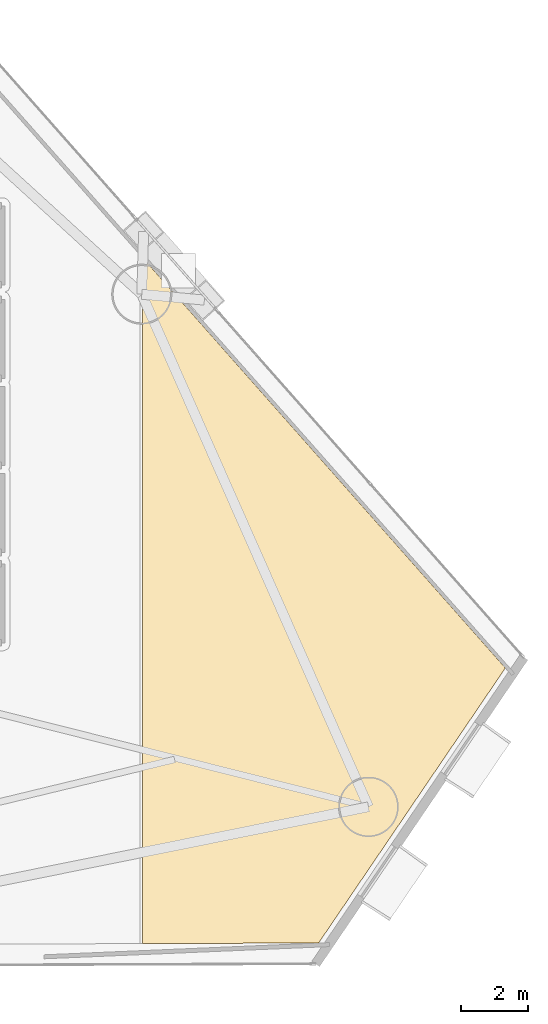
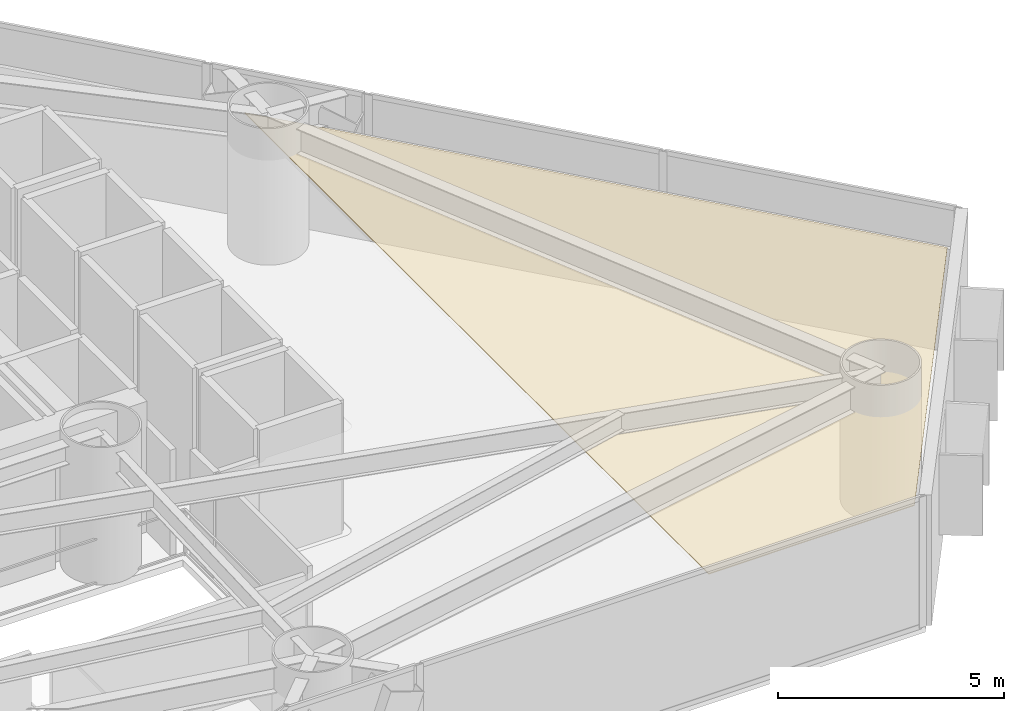
# One storey, part 22 of 22: 1 covering.
"""IFC4 building model written with IfcOpenShell, lengths in metres."""

from ifc_helpers import new_model, si_unit, direction, frame, origin, place, context, subcontext, project, spatial, polyline, outline, extrude, material, layer, layer_set, type_object, element, save


model = new_model("IFC4")

# Units and contexts
model_context = context("Model", 3, precision=1e-05, world=origin(), true_north=direction((0.0, 1.0)))
body_context = subcontext(model_context, "Body", "Model", "MODEL_VIEW")
ifc_project = project(units=[si_unit("LENGTHUNIT", "METRE"), si_unit("AREAUNIT", "SQUARE_METRE"), si_unit("VOLUMEUNIT", "CUBIC_METRE"), si_unit("PLANEANGLEUNIT", "RADIAN"), si_unit("MASSUNIT", "GRAM", prefix="KILO")], contexts=[model_context])

# Site, building, storey
site_placement = place(None, origin())
site = spatial("IfcSite", under=ifc_project, at=site_placement, CompositionType="ELEMENT")
building_placement = place(site_placement, origin())
building = spatial("IfcBuilding", under=site, at=building_placement, Name="Qianvela Tower", CompositionType="ELEMENT")
storey_placement = place(building_placement, frame((0.0, 0.0, 40.5)))
storey = spatial("IfcBuildingStorey", under=building, at=storey_placement, Name="L09", CompositionType="ELEMENT", Elevation=40.5)

# Covering
ifc_material = material(Name="Perforated Mineral Acoustic Ceiling Tile")
ifc_layer = layer(ifc_material, 0.02490234375)
ifc_layer_set = layer_set([ifc_layer], Name="Perforated Mineral Acoustic Ceiling Tile")
covering_type = type_object("IfcCoveringType", Name="COV-CEIL-ACOUSTIC-25", PredefinedType="CEILING", material=ifc_layer_set)
covering_placement = place(storey_placement, frame((0.0, 0.0, 2.81494140625)))
element("IfcCovering", 1, at=covering_placement, inside=storey, type_object=covering_type, Name="L09 Acoustic Ceiling Bay 2 Quiet Reading Study L09-03", PredefinedType="CEILING", context=body_context, shape_type="SweptSolid", body=[
    extrude(outline(polyline([(58.601806640625, 21.46630859375), (53.0205078125, 13.248291015625), (47.76220703125, 13.23046875), (47.76220703125, 33.723876953125), (58.601806640625, 21.46630859375)])), origin(), (0.0, 0.0, 1.0), 0.025146484375),
])

save(model, "model.ifc")
